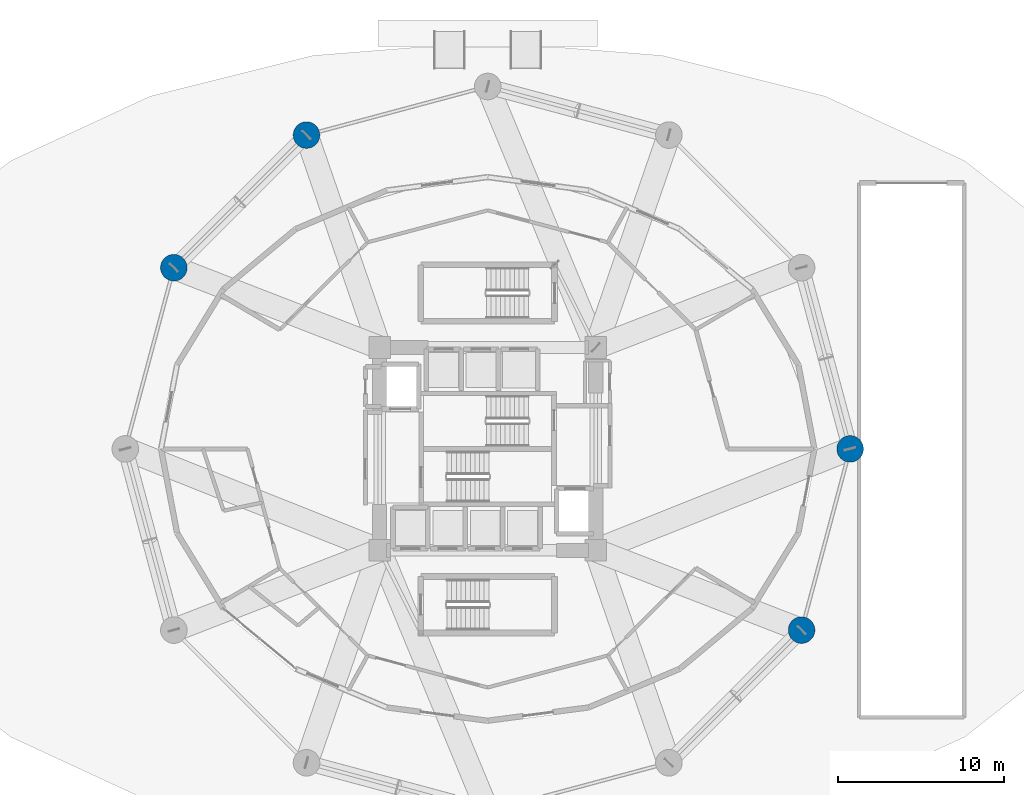
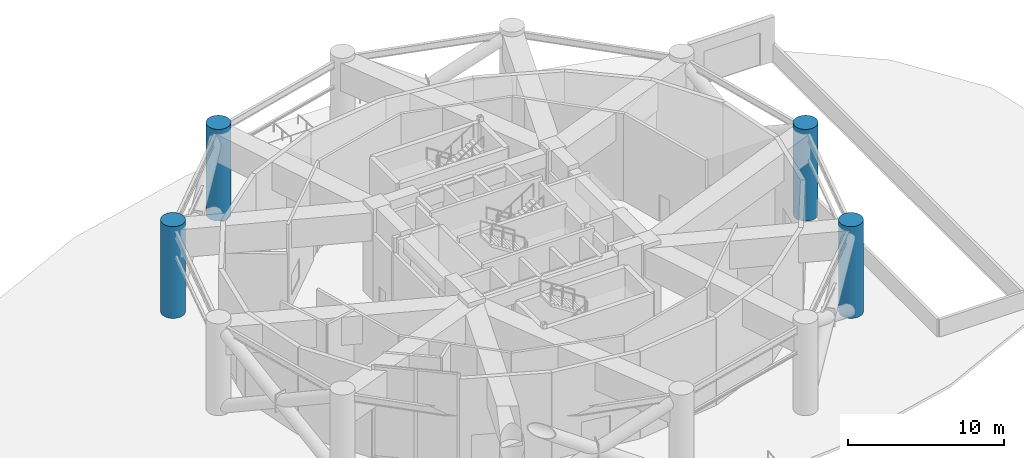
# One storey, part 2 of 16: 4 columns.
"""IFC4 building model written with IfcOpenShell, lengths in metres."""

from ifc_helpers import new_model, si_unit, direction, frame, origin, origin_2d, place, context, subcontext, project, spatial, circle, extrude, material, material_profile, profile_set, type_object, element, save


model = new_model("IFC4")

# Units and contexts
model_context = context("Model", 3, precision=1e-05, world=origin(), true_north=direction((0.0, 1.0)))
body_context = subcontext(model_context, "Body", "Model", "MODEL_VIEW")
ifc_project = project(units=[si_unit("LENGTHUNIT", "METRE"), si_unit("AREAUNIT", "SQUARE_METRE"), si_unit("VOLUMEUNIT", "CUBIC_METRE"), si_unit("PLANEANGLEUNIT", "RADIAN"), si_unit("MASSUNIT", "GRAM", prefix="KILO")], contexts=[model_context])

# Site, building, storey
site_placement = place(None, origin())
site = spatial("IfcSite", under=ifc_project, at=site_placement, CompositionType="ELEMENT")
building_placement = place(site_placement, origin())
building = spatial("IfcBuilding", under=site, at=building_placement, Name="Solvirekh Grand Hotel", CompositionType="ELEMENT")
storey_placement = place(building_placement, origin())
storey = spatial("IfcBuildingStorey", under=building, at=storey_placement, Name="L00", CompositionType="ELEMENT", Elevation=0.0)

# Columns
ifc_material = material(Name="Concrete C60/75", Category="concrete")
ifc_material_profile = material_profile(ifc_material, circle(Radius=0.800048828125, at=origin_2d()), Name="RC CIRC D1600")
ifc_profile_set = profile_set([ifc_material_profile], Name="Concrete C60/75")
column_type = type_object("IfcColumnType", Name="Col_Stilt_D1600", PredefinedType="COLUMN", material=ifc_profile_set)
for number, where, z_axis, x_axis, name in (
    (1, (21.800048828125, 0.0, 0.0), (0.0, 0.0, 1.0), (1.0, 0.0, 0.0), "L00 raking plaza stilt column P01"),
    (2, (-10.89990234375, 18.87890625, 0.0), (0.0, 0.0, 1.0), (1.0, 0.0, 0.0), "L00 raking plaza stilt column P05"),
    (3, (-18.87890625, 10.89990234375, 0.0), (0.0, 0.0, 1.0), (1.0, 0.0, 0.0), "L00 raking plaza stilt column P06"),
    (4, (18.87890625, -10.89990234375, 0.0), (0.0, 0.0, 1.0), (1.0, 0.0, 0.0), "L00 raking plaza stilt column P12"),
):
    element("IfcColumn", number, at=place(storey_placement, frame(where, z_axis=z_axis, x_axis=x_axis)), inside=storey, type_object=column_type, Name=name, PredefinedType="COLUMN", context=body_context, shape_type="SweptSolid", body=[
        extrude(circle(Radius=0.800048828125, at=origin_2d()), origin(), (0.0, 0.0, 1.0), 7.199951171875),
    ])

save(model, "model.ifc")
